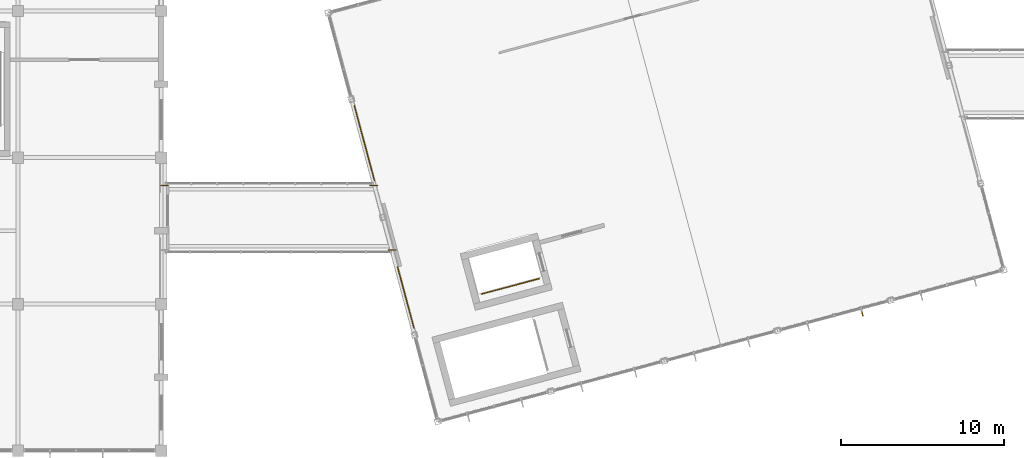
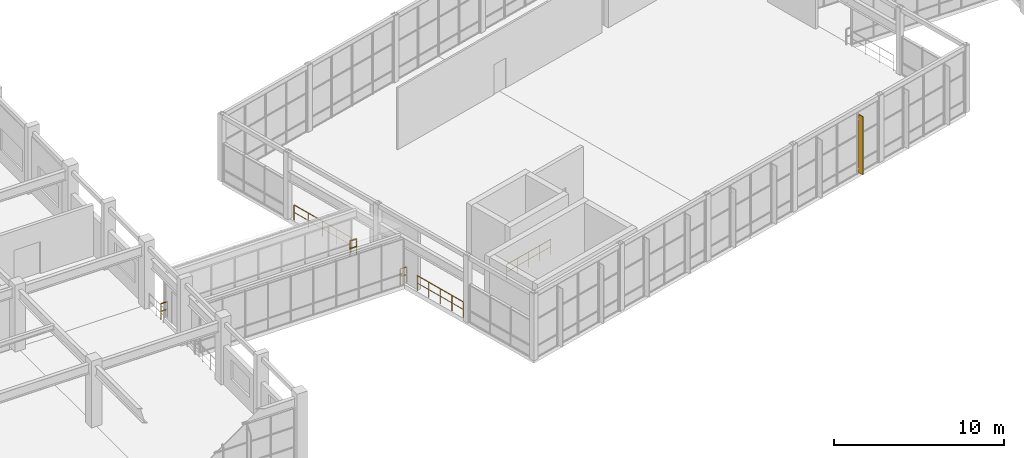
# One storey, part 96 of 99: 6 railings, 1 shading device.
"""IFC4 building model written with IfcOpenShell, lengths in metres."""

from ifc_helpers import new_model, si_unit, direction, frame, origin, origin_2d, place, context, subcontext, project, spatial, rectangle, circle, extrude, material, type_object, element, save


model = new_model("IFC4")

# Units and contexts
model_context = context("Model", 3, precision=1e-05, world=origin(), true_north=direction((0.0, 1.0)))
body_context = subcontext(model_context, "Body", "Model", "MODEL_VIEW")
ifc_project = project(units=[si_unit("LENGTHUNIT", "METRE"), si_unit("AREAUNIT", "SQUARE_METRE"), si_unit("VOLUMEUNIT", "CUBIC_METRE"), si_unit("PLANEANGLEUNIT", "RADIAN"), si_unit("MASSUNIT", "GRAM", prefix="KILO")], contexts=[model_context])

# Site, building, storey
site_placement = place(None, origin())
site = spatial("IfcSite", under=ifc_project, at=site_placement, CompositionType="ELEMENT")
building_placement = place(site_placement, origin())
building = spatial("IfcBuilding", under=site, at=building_placement, Name="Ventoquebrada Cableway Terminal", CompositionType="ELEMENT")
storey_placement = place(building_placement, frame((0.0, 0.0, 9.60009765625)))
storey = spatial("IfcBuildingStorey", under=building, at=storey_placement, Name="L02", CompositionType="ELEMENT", Elevation=9.60009765625)

# Railings
ifc_material_1 = material(Name="Brushed stainless steel Grade 316", Category="steel")
railing_type_1 = type_object("IfcRailingType", Name="RL-GD01", PredefinedType="GUARDRAIL", material=ifc_material_1)
railing_1_placement = place(storey_placement, frame((48.091064453125, 84.60009765625, 0.0)))
element("IfcRailing", 1, at=railing_1_placement, inside=storey, type_object=railing_type_1, Name="Open-edge guardrail GR-E108", PredefinedType="GUARDRAIL", context=body_context, shape_type="SweptSolid", body=[
    extrude(circle(Radius=0.02392578125, at=origin_2d()), frame((-0.00048828125, 0.001953125, 1.09619140625), z_axis=(-0.258796998358, 0.965931733427, 0.0), x_axis=(-0.965931733427, -0.258796998358, 0.0)), (0.0, 0.0, 1.0), 4.7373046875),
    extrude(circle(Radius=0.01611328125, at=origin_2d()), frame((-0.00048828125, 0.001953125, 0.56005859375), z_axis=(-0.258796998358, 0.965931733427, 0.0), x_axis=(-0.965931733427, -0.258796998358, 0.0)), (0.0, 0.0, 1.0), 4.7373046875),
    extrude(circle(Radius=0.02099609375, at=origin_2d()), origin(), (0.0, 0.0, 1.0), 1.072021484375),
    extrude(circle(Radius=0.02099609375, at=origin_2d()), frame((-0.306640625, 1.14501953125, 0.0)), (0.0, 0.0, 1.0), 1.072021484375),
    extrude(circle(Radius=0.02099609375, at=origin_2d()), frame((-0.613525390625, 2.2900390625, 0.0)), (0.0, 0.0, 1.0), 1.072021484375),
    extrude(circle(Radius=0.02099609375, at=origin_2d()), frame((-0.92041015625, 3.434814453125, 0.0)), (0.0, 0.0, 1.0), 1.072021484375),
    extrude(circle(Radius=0.02099609375, at=origin_2d()), frame((-1.22705078125, 4.579833984375, 0.0)), (0.0, 0.0, 1.0), 1.072021484375),
])
railing_2_placement = place(storey_placement, frame((50.51708984375, 75.544921875, 0.0)))
element("IfcRailing", 2, at=railing_2_placement, inside=storey, type_object=railing_type_1, Name="Open-edge guardrail GR-E111", PredefinedType="GUARDRAIL", context=body_context, shape_type="SweptSolid", body=[
    extrude(circle(Radius=0.02392578125, at=origin_2d()), frame((-0.00048828125, 0.001953125, 1.09619140625), z_axis=(-0.258733976148, 0.965948616432, 0.0), x_axis=(-0.965948616432, -0.258733976148, 0.0)), (0.0, 0.0, 1.0), 3.853515625),
    extrude(circle(Radius=0.01611328125, at=origin_2d()), frame((-0.00048828125, 0.001953125, 0.56005859375), z_axis=(-0.258733976148, 0.965948616432, 0.0), x_axis=(-0.965948616432, -0.258733976148, 0.0)), (0.0, 0.0, 1.0), 3.853515625),
    extrude(circle(Radius=0.02099609375, at=origin_2d()), origin(), (0.0, 0.0, 1.0), 1.072021484375),
    extrude(circle(Radius=0.02099609375, at=origin_2d()), frame((-0.24951171875, 0.931640625, 0.0)), (0.0, 0.0, 1.0), 1.072021484375),
    extrude(circle(Radius=0.02099609375, at=origin_2d()), frame((-0.4990234375, 1.863037109375, 0.0)), (0.0, 0.0, 1.0), 1.072021484375),
    extrude(circle(Radius=0.02099609375, at=origin_2d()), frame((-0.74853515625, 2.79443359375, 0.0)), (0.0, 0.0, 1.0), 1.072021484375),
    extrude(circle(Radius=0.02099609375, at=origin_2d()), frame((-0.998046875, 3.72607421875, 0.0)), (0.0, 0.0, 1.0), 1.072021484375),
])
railing_3_placement = place(storey_placement, frame((54.662109375, 77.615966796875, 0.0)))
element("IfcRailing", 3, at=railing_3_placement, inside=storey, type_object=railing_type_1, Name="Open-edge guardrail GR-E114", PredefinedType="GUARDRAIL", context=body_context, shape_type="SweptSolid", body=[
    extrude(circle(Radius=0.02392578125, at=origin_2d()), frame((0.001953125, 0.00048828125, 1.09619140625), z_axis=(0.965954302086, 0.258712748587, 0.0), x_axis=(-0.258712748587, 0.965954302086, 0.0)), (0.0, 0.0, 1.0), 3.656494140625),
    extrude(circle(Radius=0.01611328125, at=origin_2d()), frame((0.001953125, 0.00048828125, 0.56005859375), z_axis=(0.965954302086, 0.258712748587, 0.0), x_axis=(-0.258712748587, 0.965954302086, 0.0)), (0.0, 0.0, 1.0), 3.656494140625),
    extrude(circle(Radius=0.02099609375, at=origin_2d()), origin(), (0.0, 0.0, 1.0), 1.072021484375),
    extrude(circle(Radius=0.02099609375, at=origin_2d()), frame((0.884033203125, 0.23681640625, 0.0)), (0.0, 0.0, 1.0), 1.072021484375),
    extrude(circle(Radius=0.02099609375, at=origin_2d()), frame((1.76806640625, 0.4736328125, 0.0)), (0.0, 0.0, 1.0), 1.072021484375),
    extrude(circle(Radius=0.02099609375, at=origin_2d()), frame((2.65185546875, 0.710205078125, 0.0)), (0.0, 0.0, 1.0), 1.072021484375),
    extrude(circle(Radius=0.02099609375, at=origin_2d()), frame((3.535888671875, 0.947021484375, 0.0)), (0.0, 0.0, 1.0), 1.072021484375),
])
railing_type_2 = type_object("IfcRailingType", Name="RL-GD02", PredefinedType="BALUSTRADE", material=ifc_material_1)
for number, where, name in (
    (4, (34.97998046875, 84.280029296875, 0.0), "Bridge end closure guardrail GR-B055"),
    (5, (48.967041015625, 80.320068359375, 0.0), "Bridge end closure guardrail GR-B056"),
    (6, (47.841064453125, 84.280029296875, 0.0), "Bridge end closure guardrail GR-B057"),
):
    element("IfcRailing", number, at=place(storey_placement, frame(where)), inside=storey, type_object=railing_type_2, Name=name, PredefinedType="BALUSTRADE", context=body_context, shape_type="SweptSolid", body=[
        extrude(circle(Radius=0.02392578125, at=origin_2d()), frame((0.001953125, 0.0, 1.1259765625), z_axis=(1.0, 0.0, 0.0), x_axis=(0.0, 1.0, 0.0)), (0.0, 0.0, 1.0), 0.43603515625),
        extrude(circle(Radius=0.01611328125, at=origin_2d()), frame((0.001953125, 0.0, 0.574951171875), z_axis=(1.0, 0.0, 0.0), x_axis=(0.0, 1.0, 0.0)), (0.0, 0.0, 1.0), 0.43603515625),
        extrude(circle(Radius=0.02099609375, at=origin_2d()), origin(), (0.0, 0.0, 1.0), 1.101806640625),
        extrude(circle(Radius=0.02099609375, at=origin_2d()), frame((0.43994140625, 0.0, 0.0)), (0.0, 0.0, 1.0), 1.101806640625),
    ])

# Shading device
ifc_material_2 = material(Name="Anodized thermally-broken aluminium", Category="aluminium")
shading_device_type = type_object("IfcShadingDeviceType", Name="SHD-AW1", PredefinedType="AWNING", material=ifc_material_2)
shading_device_placement = place(storey_placement, frame((78.05908203125, 76.4208984375, 0.14990234375), z_axis=(0.0, 0.0, 1.0), x_axis=(0.965975498177, 0.258633595888, 0.0)))
element("IfcShadingDevice", 7, at=shading_device_placement, inside=storey, type_object=shading_device_type, Name="Extruded aluminium sunshade fin FN-079", PredefinedType="AWNING", context=body_context, shape_type="SweptSolid", body=[
    extrude(rectangle(XDim=0.044921875, YDim=0.360107421875, at=origin_2d()), origin(), (0.0, 0.0, 1.0), 4.18994140625),
])

save(model, "model.ifc")
